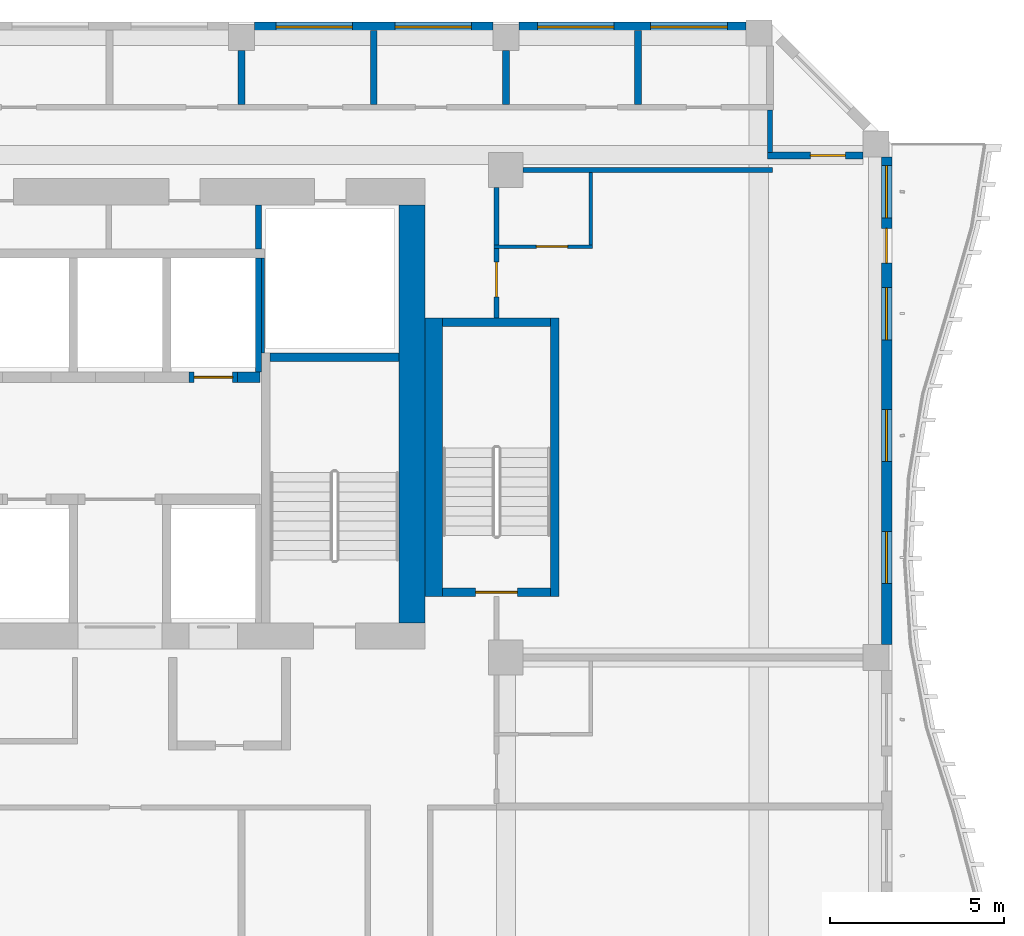
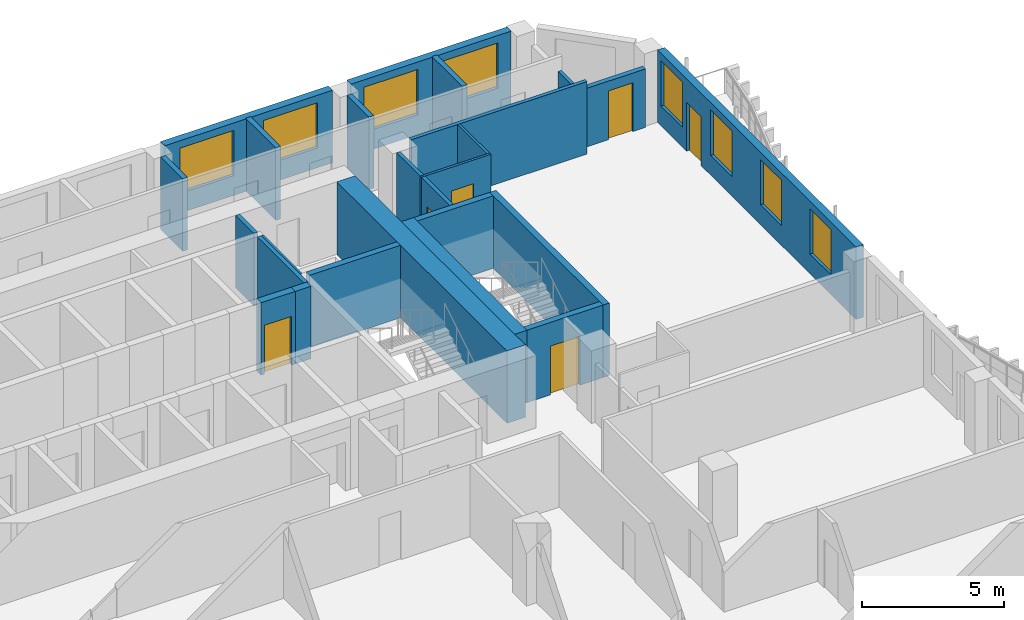
# One storey, part 10 of 22: 25 walls, 8 windows, 6 doors, 14 openings.
"""IFC4 building model written with IfcOpenShell, lengths in metres."""

from ifc_helpers import new_model, si_unit, direction, frame, frame_2d, origin, place, context, subcontext, project, spatial, rectangle, extrude, source, transform, mapped, material, layer, layer_set, type_object, element, fill, save


model = new_model("IFC4")

# Units and contexts
model_context = context("Model", 3, precision=1e-05, world=origin(), true_north=direction((0.0, 1.0)))
body_context = subcontext(model_context, "Body", "Model", "MODEL_VIEW")
ifc_project = project(units=[si_unit("LENGTHUNIT", "METRE"), si_unit("AREAUNIT", "SQUARE_METRE"), si_unit("VOLUMEUNIT", "CUBIC_METRE"), si_unit("PLANEANGLEUNIT", "RADIAN"), si_unit("MASSUNIT", "GRAM", prefix="KILO")], contexts=[model_context])

# Site, building, storey
site_placement = place(None, origin())
site = spatial("IfcSite", under=ifc_project, at=site_placement, CompositionType="ELEMENT")
building_placement = place(site_placement, origin())
building = spatial("IfcBuilding", under=site, at=building_placement, Name="Kilnfold Tower and Market Hall", CompositionType="ELEMENT")
storey_placement = place(building_placement, frame((0.0, 0.0, 206.699951171875)))
storey = spatial("IfcBuildingStorey", under=building, at=storey_placement, Name="L50", CompositionType="ELEMENT", Elevation=206.699951171875)

# Wall, opening, door
ifc_material_1 = material(Name="Gypsum board on steel studs", Category="steel")
ifc_layer_1 = layer(ifc_material_1, 0.14990234375)
ifc_layer_set_1 = layer_set([ifc_layer_1], Name="Gypsum board on steel studs")
wall_type_1 = type_object("IfcWallType", Name="WALL CORRIDOR 150", PredefinedType="PARTITIONING", material=ifc_layer_set_1)
wall_1_placement = place(storey_placement, frame((19.89990234375, 17.75, 0.0), z_axis=(0.0, 0.0, 1.0), x_axis=(0.0, 1.0, 0.0)))
wall_1 = element("IfcWall", 1, at=wall_1_placement, inside=storey, type_object=wall_type_1, Name="Partition LY30.20", PredefinedType="PARTITIONING", context=body_context, shape_type="SweptSolid", body=[
    extrude(rectangle(XDim=2.010009765625, YDim=0.14990234375, at=frame_2d((1.0048828125, 0.0))), origin(), (0.0, 0.0, 1.0), 3.1201171875),
])
opening_1_placement = place(wall_1_placement, frame((0.60693359375, 0.0, 0.0)))
opening_1 = element("IfcOpeningElement", 2, at=opening_1_placement, cuts=wall_1, Name="Opening D1", PredefinedType="OPENING", context=body_context, shape_type="SweptSolid", body=[
    extrude(rectangle(XDim=1.0, YDim=2.10009765625, at=frame_2d((0.5, 1.050048828125))), frame((0.0, 0.0849609375, 0.0), z_axis=(0.0, -1.0, 0.0), x_axis=(1.0, 0.0, 0.0)), (0.0, 0.0, 1.0), 0.169921875),
])
ifc_material_2 = material(Name="Timber veneer door leaf in steel frame", Category="steel")
door_type_1 = type_object("IfcDoorType", Name="DOOR ENTRY 1000 X2100", OperationType="NOTDEFINED", PredefinedType="DOOR", material=ifc_material_2)
door_1_placement = place(opening_1_placement, origin())
door_1 = element("IfcDoor", 3, at=door_1_placement, inside=storey, type_object=door_type_1, Name="Door D1", OperationType="SINGLE_SWING_LEFT", OverallHeight=2.10009765625, OverallWidth=1.0, PredefinedType="DOOR", context=body_context, shape_type="SweptSolid", body=[
    extrude(rectangle(XDim=1.0, YDim=2.10009765625, at=frame_2d((0.5, 1.050048828125))), frame((0.0, 0.02490234375, 0.0), z_axis=(0.0, -1.0, 0.0), x_axis=(1.0, 0.0, 0.0)), (0.0, 0.0, 1.0), 0.050048828125),
])
fill(opening_1, door_1)

# Walls
wall_2_placement = place(storey_placement, frame((20.6669921875, 22.0, 0.0), z_axis=(0.0, 0.0, 1.0), x_axis=(1.0, 0.0, 0.0)))
element("IfcWall", 4, at=wall_2_placement, inside=storey, type_object=wall_type_1, Name="Partition LY30.22", PredefinedType="PARTITIONING", context=body_context, shape_type="SweptSolid", body=[
    extrude(rectangle(XDim=7.157958984375, YDim=0.14990234375, at=frame_2d((3.5791015625, 0.0))), origin(), (0.0, 0.0, 1.0), 3.1201171875),
])
wall_3_placement = place(storey_placement, frame((19.89990234375, 19.840087890625, 0.0), z_axis=(0.0, 0.0, 1.0), x_axis=(0.0, 1.0, 0.0)))
element("IfcWall", 5, at=wall_3_placement, inside=storey, type_object=wall_type_1, Name="Partition LY30.23", PredefinedType="PARTITIONING", context=body_context, shape_type="SweptSolid", body=[
    extrude(rectangle(XDim=1.659912109375, YDim=0.14990234375, at=frame_2d((0.830078125, 0.0))), origin(), (0.0, 0.0, 1.0), 3.1201171875),
])
wall_4_placement = place(storey_placement, frame((27.75, 22.5029296875, 0.0), z_axis=(0.0, 0.0, 1.0), x_axis=(0.0, 1.0, 0.0)))
element("IfcWall", 6, at=wall_4_placement, inside=storey, type_object=wall_type_1, Name="Partition LY30.24", PredefinedType="PARTITIONING", context=body_context, shape_type="SweptSolid", body=[
    extrude(rectangle(XDim=1.22216796875, YDim=0.14990234375, at=frame_2d((0.611083984375, 0.0))), origin(), (0.0, 0.0, 1.0), 2.52001953125),
])

# Wall, opening, door
ifc_material_3 = material(Name="Gypsum board on steel studs", Category="steel")
ifc_layer_2 = layer(ifc_material_3, 0.10009765625)
ifc_layer_set_2 = layer_set([ifc_layer_2], Name="Gypsum board on steel studs")
wall_type_2 = type_object("IfcWallType", Name="WALL PARTITION 100", PredefinedType="PARTITIONING", material=ifc_layer_set_2)
wall_5_placement = place(storey_placement, frame((22.652099609375, 19.800048828125, 0.0), z_axis=(0.0, 0.0, 1.0), x_axis=(-1.0, 0.0, 0.0)))
wall_5 = element("IfcWall", 7, at=wall_5_placement, inside=storey, type_object=wall_type_2, Name="Partition LY30.93", PredefinedType="PARTITIONING", context=body_context, shape_type="SweptSolid", body=[
    extrude(rectangle(XDim=2.8251953125, YDim=0.10009765625, at=frame_2d((1.41259765625, 0.0))), origin(), (0.0, 0.0, 1.0), 3.1201171875),
])
opening_2_placement = place(wall_5_placement, frame((0.7080078125, 0.0, 0.0)))
opening_2 = element("IfcOpeningElement", 8, at=opening_2_placement, cuts=wall_5, Name="Opening D3", PredefinedType="OPENING", context=body_context, shape_type="SweptSolid", body=[
    extrude(rectangle(XDim=0.89990234375, YDim=2.10009765625, at=frame_2d((0.449951171875, 1.050048828125))), frame((0.0, 0.06005859375, 0.0), z_axis=(0.0, -1.0, 0.0), x_axis=(1.0, 0.0, 0.0)), (0.0, 0.0, 1.0), 0.1201171875),
])
ifc_material_4 = material(Name="Timber veneer door leaf in steel frame", Category="steel")
door_type_2 = type_object("IfcDoorType", Name="DOOR WC 900 X2100", OperationType="NOTDEFINED", PredefinedType="DOOR", material=ifc_material_4)
door_2_placement = place(opening_2_placement, origin())
door_2 = element("IfcDoor", 9, at=door_2_placement, inside=storey, type_object=door_type_2, Name="Door D3", OperationType="SINGLE_SWING_RIGHT", OverallHeight=2.10009765625, OverallWidth=0.89990234375, PredefinedType="DOOR", context=body_context, shape_type="SweptSolid", body=[
    extrude(rectangle(XDim=0.89990234375, YDim=2.10009765625, at=frame_2d((0.449951171875, 1.050048828125))), frame((0.0, 0.02490234375, 0.0), z_axis=(0.0, -1.0, 0.0), x_axis=(1.0, 0.0, 0.0)), (0.0, 0.0, 1.0), 0.050048828125),
])
fill(opening_2, door_2)

# Wall
wall_6_placement = place(storey_placement, frame((22.60205078125, 19.85009765625, 0.0), z_axis=(0.0, 0.0, 1.0), x_axis=(0.0, 1.0, 0.0)))
element("IfcWall", 10, at=wall_6_placement, inside=storey, type_object=wall_type_2, Name="Partition LY30.94", PredefinedType="PARTITIONING", context=body_context, shape_type="SweptSolid", body=[
    extrude(rectangle(XDim=2.072998046875, YDim=0.10009765625, at=frame_2d((1.03662109375, 0.0))), origin(), (0.0, 0.0, 1.0), 3.1201171875),
])

# Wall, opening, door
ifc_material_5 = material(Name="Gypsum board on steel studs", Category="steel")
ifc_layer_3 = layer(ifc_material_5, 0.199951171875)
ifc_layer_set_3 = layer_set([ifc_layer_3], Name="Gypsum board on steel studs")
wall_type_3 = type_object("IfcWallType", Name="WALL PARTY 200", PredefinedType="PARTITIONING", material=ifc_layer_set_3)
wall_7_placement = place(storey_placement, frame((30.425048828125, 22.4130859375, 0.0), z_axis=(0.0, 0.0, 1.0), x_axis=(-1.0, 0.0, 0.0)))
wall_7 = element("IfcWall", 11, at=wall_7_placement, inside=storey, type_object=wall_type_3, Name="Partition LY30.95", PredefinedType="PARTITIONING", context=body_context, shape_type="SweptSolid", body=[
    extrude(rectangle(XDim=2.748046875, YDim=0.199951171875, at=frame_2d((1.3740234375, 0.0))), origin(), (0.0, 0.0, 1.0), 2.52001953125),
])
opening_3_placement = place(wall_7_placement, frame((0.510986328125, 0.0, 0.0)))
opening_3 = element("IfcOpeningElement", 12, at=opening_3_placement, cuts=wall_7, Name="Opening D4", PredefinedType="OPENING", context=body_context, shape_type="SweptSolid", body=[
    extrude(rectangle(XDim=1.0, YDim=2.10009765625, at=frame_2d((0.5, 1.050048828125))), frame((0.0, 0.10986328125, 0.0), z_axis=(0.0, -1.0, 0.0), x_axis=(1.0, 0.0, 0.0)), (0.0, 0.0, 1.0), 0.219970703125),
])
ifc_material_6 = material(Name="Timber veneer door leaf in steel frame", Category="steel")
door_type_3 = type_object("IfcDoorType", Name="DOOR SERVICE 1000 X2100", OperationType="NOTDEFINED", PredefinedType="DOOR", material=ifc_material_6)
door_3_placement = place(opening_3_placement, origin())
door_3 = element("IfcDoor", 13, at=door_3_placement, inside=storey, type_object=door_type_3, Name="Door D4", OperationType="SINGLE_SWING_RIGHT", OverallHeight=2.10009765625, OverallWidth=1.0, PredefinedType="DOOR", context=body_context, shape_type="SweptSolid", body=[
    extrude(rectangle(XDim=1.0, YDim=2.10009765625, at=frame_2d((0.5, 1.050048828125))), frame((0.0, 0.02490234375, 0.0), z_axis=(0.0, -1.0, 0.0), x_axis=(1.0, 0.0, 0.0)), (0.0, 0.0, 1.0), 0.050048828125),
])
fill(opening_3, door_3)

# Walls
wall_8_placement = place(storey_placement, frame((12.5830078125, 23.876953125, 0.0), z_axis=(0.0, 0.0, 1.0), x_axis=(0.0, 1.0, 0.0)))
element("IfcWall", 14, at=wall_8_placement, inside=storey, type_object=wall_type_3, Name="Partition LY30.106", PredefinedType="PARTITIONING", context=body_context, shape_type="SweptSolid", body=[
    extrude(rectangle(XDim=1.548095703125, YDim=0.199951171875, at=frame_2d((0.77392578125, 0.0))), origin(), (0.0, 0.0, 1.0), 3.1201171875),
])
wall_9_placement = place(storey_placement, frame((16.375, 23.876953125, 0.0), z_axis=(0.0, 0.0, 1.0), x_axis=(0.0, 1.0, 0.0)))
element("IfcWall", 15, at=wall_9_placement, inside=storey, type_object=wall_type_3, Name="Partition LY30.107", PredefinedType="PARTITIONING", context=body_context, shape_type="SweptSolid", body=[
    extrude(rectangle(XDim=2.123046875, YDim=0.199951171875, at=frame_2d((1.0615234375, 0.0))), origin(), (0.0, 0.0, 1.0), 3.1201171875),
])
wall_10_placement = place(storey_placement, frame((20.1669921875, 23.876953125, 0.0), z_axis=(0.0, 0.0, 1.0), x_axis=(0.0, 1.0, 0.0)))
element("IfcWall", 16, at=wall_10_placement, inside=storey, type_object=wall_type_3, Name="Partition LY30.108", PredefinedType="PARTITIONING", context=body_context, shape_type="SweptSolid", body=[
    extrude(rectangle(XDim=1.548095703125, YDim=0.199951171875, at=frame_2d((0.77392578125, 0.0))), origin(), (0.0, 0.0, 1.0), 3.1201171875),
])
wall_11_placement = place(storey_placement, frame((23.958984375, 23.876953125, 0.0), z_axis=(0.0, 0.0, 1.0), x_axis=(0.0, 1.0, 0.0)))
element("IfcWall", 17, at=wall_11_placement, inside=storey, type_object=wall_type_3, Name="Partition LY30.109", PredefinedType="PARTITIONING", context=body_context, shape_type="SweptSolid", body=[
    extrude(rectangle(XDim=2.123046875, YDim=0.199951171875, at=frame_2d((1.0615234375, 0.0))), origin(), (0.0, 0.0, 1.0), 3.1201171875),
])
ifc_material_7 = material(Name="Concrete C60", Category="concrete")
ifc_layer_4 = layer(ifc_material_7, 0.25)
ifc_layer_set_4 = layer_set([ifc_layer_4], Name="Concrete C60")
wall_type_4 = type_object("IfcWallType", Name="CORE WALL 250 C60", PredefinedType="SHEAR", material=ifc_layer_set_4)
shared_shape_1 = source(origin(), body_context, "Body", "SweptSolid", [
    extrude(rectangle(XDim=3.7001953125, YDim=0.25, at=frame_2d((1.85009765625, 0.0))), origin(), (0.0, 0.0, 1.0), 3.1201171875),
])
wall_12_placement = place(storey_placement, frame((13.39990234375, 16.625, 0.0), z_axis=(0.0, 0.0, 1.0), x_axis=(1.0, 0.0, 0.0)))
element("IfcWall", 18, at=wall_12_placement, inside=storey, type_object=wall_type_4, Name="Stair enclosure ST2", PredefinedType="SHEAR", context=body_context, shape_type="MappedRepresentation", body=[
    mapped(shared_shape_1, transform((0.0, 0.0, 0.0))),
])
shared_shape_2 = source(origin(), body_context, "Body", "SweptSolid", [
    extrude(rectangle(XDim=8.0, YDim=0.25, at=frame_2d((4.0, 0.0))), origin(), (0.0, 0.0, 1.0), 3.1201171875),
])
wall_13_placement = place(storey_placement, frame((21.574951171875, 9.75, 0.0), z_axis=(0.0, 0.0, 1.0), x_axis=(0.0, 1.0, 0.0)))
element("IfcWall", 19, at=wall_13_placement, inside=storey, type_object=wall_type_4, Name="Stair enclosure ST5", PredefinedType="SHEAR", context=body_context, shape_type="MappedRepresentation", body=[
    mapped(shared_shape_2, transform((0.0, 0.0, 0.0))),
])

# Wall, opening, door
shared_shape_3 = source(origin(), body_context, "Body", "SweptSolid", [
    extrude(rectangle(XDim=3.099853515625, YDim=0.25, at=frame_2d((1.5498046875, 0.0))), origin(), (0.0, 0.0, 1.0), 3.1201171875),
])
wall_14_placement = place(storey_placement, frame((18.35009765625, 9.875, 0.0), z_axis=(0.0, 0.0, 1.0), x_axis=(1.0, 0.0, 0.0)))
wall_14 = element("IfcWall", 20, at=wall_14_placement, inside=storey, type_object=wall_type_4, Name="Stair enclosure ST5", PredefinedType="SHEAR", context=body_context, shape_type="MappedRepresentation", body=[
    mapped(shared_shape_3, transform((0.0, 0.0, 0.0))),
])
opening_4_placement = place(wall_14_placement, frame((0.949951171875, 0.0, 0.0)))
opening_4 = element("IfcOpeningElement", 21, at=opening_4_placement, cuts=wall_14, Name="Opening SD1", PredefinedType="OPENING", context=body_context, shape_type="SweptSolid", body=[
    extrude(rectangle(XDim=1.199951171875, YDim=2.10009765625, at=frame_2d((0.60009765625, 1.050048828125))), frame((0.0, 0.135009765625, 0.0), z_axis=(0.0, -1.0, 0.0), x_axis=(1.0, 0.0, 0.0)), (0.0, 0.0, 1.0), 0.27001953125),
])
ifc_material_8 = material(Name="Steel door set with fire-resisting leaf", Category="steel")
door_type_4 = type_object("IfcDoorType", Name="STAIR FLOOR DOOR 1200X2100", OperationType="NOTDEFINED", PredefinedType="DOOR", material=ifc_material_8)
door_4_placement = place(opening_4_placement, origin())
door_4 = element("IfcDoor", 22, at=door_4_placement, inside=storey, type_object=door_type_4, Name="Exit stair ST5 door", OperationType="DOUBLE_DOOR_SINGLE_SWING", OverallHeight=2.10009765625, OverallWidth=1.199951171875, PredefinedType="DOOR", context=body_context, shape_type="SweptSolid", body=[
    extrude(rectangle(XDim=1.199951171875, YDim=2.10009765625, at=frame_2d((0.60009765625, 1.050048828125))), frame((0.0, 0.02490234375, 0.0), z_axis=(0.0, -1.0, 0.0), x_axis=(1.0, 0.0, 0.0)), (0.0, 0.0, 1.0), 0.050048828125),
])
fill(opening_4, door_4)

# Walls
wall_15_placement = place(storey_placement, frame((18.35009765625, 17.625, 0.0), z_axis=(0.0, 0.0, 1.0), x_axis=(1.0, 0.0, 0.0)))
element("IfcWall", 23, at=wall_15_placement, inside=storey, type_object=wall_type_4, Name="Stair enclosure ST5", PredefinedType="SHEAR", context=body_context, shape_type="MappedRepresentation", body=[
    mapped(shared_shape_3, transform((0.0, 0.0, 0.0))),
])
ifc_material_9 = material(Name="Concrete C60", Category="concrete")
ifc_layer_5 = layer(ifc_material_9, 0.300048828125)
ifc_layer_set_5 = layer_set([ifc_layer_5], Name="Concrete C60")
wall_type_5 = type_object("IfcWallType", Name="CORE WALL 300 C60", PredefinedType="SHEAR", material=ifc_layer_set_5)
shared_shape_4 = source(origin(), body_context, "Body", "SweptSolid", [
    extrude(rectangle(XDim=0.64013671875, YDim=0.300048828125, at=frame_2d((0.320068359375, 0.0))), origin(), (0.0, 0.0, 1.0), 3.1201171875),
])
wall_16_placement = place(storey_placement, frame((12.469970703125, 16.050048828125, 0.0), z_axis=(0.0, 0.0, 1.0), x_axis=(1.0, 0.0, 0.0)))
element("IfcWall", 24, at=wall_16_placement, inside=storey, type_object=wall_type_5, Name="Core spine wall", PredefinedType="SHEAR", context=body_context, shape_type="MappedRepresentation", body=[
    mapped(shared_shape_4, transform((0.0, 0.0, 0.0))),
])
ifc_material_10 = material(Name="Concrete C60", Category="concrete")
ifc_layer_6 = layer(ifc_material_10, 0.75)
ifc_layer_set_6 = layer_set([ifc_layer_6], Name="Concrete C60")
wall_type_6 = type_object("IfcWallType", Name="CORE WALL 750 C60", PredefinedType="SHEAR", material=ifc_layer_set_6)
shared_shape_5 = source(origin(), body_context, "Body", "SweptSolid", [
    extrude(rectangle(XDim=12.0, YDim=0.75, at=frame_2d((6.0, 0.0))), origin(), (0.0, 0.0, 1.0), 3.1201171875),
])
wall_17_placement = place(storey_placement, frame((17.47509765625, 9.0, 0.0), z_axis=(0.0, 0.0, 1.0), x_axis=(0.0, 1.0, 0.0)))
element("IfcWall", 25, at=wall_17_placement, inside=storey, type_object=wall_type_6, Name="Core outer wall east", PredefinedType="SHEAR", context=body_context, shape_type="MappedRepresentation", body=[
    mapped(shared_shape_5, transform((0.0, 0.0, 0.0))),
])
ifc_material_11 = material(Name="Concrete C60", Category="concrete")
ifc_layer_7 = layer(ifc_material_11, 0.5)
ifc_layer_set_7 = layer_set([ifc_layer_7], Name="Concrete C60")
wall_type_7 = type_object("IfcWallType", Name="CORE WALL 500 C60", PredefinedType="SHEAR", material=ifc_layer_set_7)
shared_shape_6 = source(origin(), body_context, "Body", "SweptSolid", [
    extrude(rectangle(XDim=8.0, YDim=0.5, at=frame_2d((4.0, 0.0))), origin(), (0.0, 0.0, 1.0), 3.1201171875),
])
wall_18_placement = place(storey_placement, frame((18.10009765625, 9.75, 0.0), z_axis=(0.0, 0.0, 1.0), x_axis=(0.0, 1.0, 0.0)))
element("IfcWall", 26, at=wall_18_placement, inside=storey, type_object=wall_type_7, Name="Stair enclosure ST5", PredefinedType="SHEAR", context=body_context, shape_type="MappedRepresentation", body=[
    mapped(shared_shape_6, transform((0.0, 0.0, 0.0))),
])

# Wall, openings, windows
ifc_material_12 = material(Name="Precast concrete C50/60", Category="concrete")
ifc_layer_8 = layer(ifc_material_12, 0.300048828125)
ifc_layer_set_8 = layer_set([ifc_layer_8], Name="Precast concrete C50/60")
wall_type_8 = type_object("IfcWallType", Name="PRECAST WALL 300", PredefinedType="SOLIDWALL", material=ifc_layer_set_8)
shared_shape_7 = source(origin(), body_context, "Body", "SweptSolid", [
    extrude(rectangle(XDim=6.83349609375, YDim=0.300048828125, at=frame_2d((3.416748046875, 0.0))), origin(), (0.0, 0.0, 1.0), 3.1201171875),
])
wall_19_placement = place(storey_placement, frame((19.791748046875, 26.10009765625, 0.0), z_axis=(0.0, 0.0, 1.0), x_axis=(-1.0, 0.0, 0.0)))
wall_19 = element("IfcWall", 27, at=wall_19_placement, inside=storey, type_object=wall_type_8, Name="External wall L50 N", PredefinedType="SOLIDWALL", context=body_context, shape_type="MappedRepresentation", body=[
    mapped(shared_shape_7, transform((0.0, 0.0, 0.0))),
])
opening_5_placement = place(wall_19_placement, frame((0.6083984375, 0.0, 0.85009765625)))
opening_5 = element("IfcOpeningElement", 28, at=opening_5_placement, cuts=wall_19, Name="Opening W2", PredefinedType="OPENING", context=body_context, shape_type="SweptSolid", body=[
    extrude(rectangle(XDim=2.199951171875, YDim=1.949951171875, at=frame_2d((1.10009765625, 0.97509765625))), frame((0.0, 0.16015625, 0.0), z_axis=(0.0, -1.0, 0.0), x_axis=(1.0, 0.0, 0.0)), (0.0, 0.0, 1.0), 0.320068359375),
])
opening_6_placement = place(wall_19_placement, frame((4.02490234375, 0.0, 0.85009765625)))
opening_6 = element("IfcOpeningElement", 29, at=opening_6_placement, cuts=wall_19, Name="Opening W2", PredefinedType="OPENING", context=body_context, shape_type="SweptSolid", body=[
    extrude(rectangle(XDim=2.199951171875, YDim=1.949951171875, at=frame_2d((1.10009765625, 0.97509765625))), frame((0.0, 0.16015625, 0.0), z_axis=(0.0, -1.0, 0.0), x_axis=(1.0, 0.0, 0.0)), (0.0, 0.0, 1.0), 0.320068359375),
])
ifc_material_13 = material(Name="Aluminium frame and double glazing", Category="aluminium")
window_type_1 = type_object("IfcWindowType", Name="WINDOW W2 2200X1950", PartitioningType="SINGLE_PANEL", PredefinedType="WINDOW", material=ifc_material_13)
window_1_placement = place(opening_5_placement, origin())
window_1 = element("IfcWindow", 30, at=window_1_placement, inside=storey, type_object=window_type_1, Name="Window W2 L50 N-1", OverallHeight=1.949951171875, OverallWidth=2.199951171875, PartitioningType="SINGLE_PANEL", PredefinedType="WINDOW", context=body_context, shape_type="SweptSolid", body=[
    extrude(rectangle(XDim=2.199951171875, YDim=1.949951171875, at=frame_2d((1.10009765625, 0.97509765625))), frame((0.0, 0.030029296875, 0.0), z_axis=(0.0, -1.0, 0.0), x_axis=(1.0, 0.0, 0.0)), (0.0, 0.0, 1.0), 0.06005859375),
])
fill(opening_5, window_1)
window_2_placement = place(opening_6_placement, origin())
window_2 = element("IfcWindow", 31, at=window_2_placement, inside=storey, type_object=window_type_1, Name="Window W2 L50 N-2", OverallHeight=1.949951171875, OverallWidth=2.199951171875, PartitioningType="SINGLE_PANEL", PredefinedType="WINDOW", context=body_context, shape_type="SweptSolid", body=[
    extrude(rectangle(XDim=2.199951171875, YDim=1.949951171875, at=frame_2d((1.10009765625, 0.97509765625))), frame((0.0, 0.030029296875, 0.0), z_axis=(0.0, -1.0, 0.0), x_axis=(1.0, 0.0, 0.0)), (0.0, 0.0, 1.0), 0.06005859375),
])
fill(opening_6, window_2)

# Wall, openings, door, windows
shared_shape_8 = source(origin(), body_context, "Body", "SweptSolid", [
    extrude(rectangle(XDim=14.0, YDim=0.300048828125, at=frame_2d((7.0, 0.0))), origin(), (0.0, 0.0, 1.0), 3.1201171875),
])
wall_20_placement = place(storey_placement, frame((31.10009765625, 8.375, 0.0), z_axis=(0.0, 0.0, 1.0), x_axis=(0.0, 1.0, 0.0)))
wall_20 = element("IfcWall", 32, at=wall_20_placement, inside=storey, type_object=wall_type_8, Name="External wall L50 E", PredefinedType="SOLIDWALL", context=body_context, shape_type="MappedRepresentation", body=[
    mapped(shared_shape_8, transform((0.0, 0.0, 0.0))),
])
opening_7_placement = place(wall_20_placement, frame((1.75, 0.0, 0.85009765625)))
opening_7 = element("IfcOpeningElement", 33, at=opening_7_placement, cuts=wall_20, Name="Opening W4", PredefinedType="OPENING", context=body_context, shape_type="SweptSolid", body=[
    extrude(rectangle(XDim=1.5, YDim=1.949951171875, at=frame_2d((0.75, 0.97509765625))), frame((0.0, 0.16015625, 0.0), z_axis=(0.0, -1.0, 0.0), x_axis=(1.0, 0.0, 0.0)), (0.0, 0.0, 1.0), 0.320068359375),
])
opening_8_placement = place(wall_20_placement, frame((5.25, 0.0, 0.85009765625)))
opening_8 = element("IfcOpeningElement", 34, at=opening_8_placement, cuts=wall_20, Name="Opening W4", PredefinedType="OPENING", context=body_context, shape_type="SweptSolid", body=[
    extrude(rectangle(XDim=1.5, YDim=1.949951171875, at=frame_2d((0.75, 0.97509765625))), frame((0.0, 0.16015625, 0.0), z_axis=(0.0, -1.0, 0.0), x_axis=(1.0, 0.0, 0.0)), (0.0, 0.0, 1.0), 0.320068359375),
])
opening_9_placement = place(wall_20_placement, frame((8.75, 0.0, 0.85009765625)))
opening_9 = element("IfcOpeningElement", 35, at=opening_9_placement, cuts=wall_20, Name="Opening W4", PredefinedType="OPENING", context=body_context, shape_type="SweptSolid", body=[
    extrude(rectangle(XDim=1.5, YDim=1.949951171875, at=frame_2d((0.75, 0.97509765625))), frame((0.0, 0.16015625, 0.0), z_axis=(0.0, -1.0, 0.0), x_axis=(1.0, 0.0, 0.0)), (0.0, 0.0, 1.0), 0.320068359375),
])
opening_10_placement = place(wall_20_placement, frame((12.25, 0.0, 0.85009765625)))
opening_10 = element("IfcOpeningElement", 36, at=opening_10_placement, cuts=wall_20, Name="Opening W4", PredefinedType="OPENING", context=body_context, shape_type="SweptSolid", body=[
    extrude(rectangle(XDim=1.5, YDim=1.949951171875, at=frame_2d((0.75, 0.97509765625))), frame((0.0, 0.16015625, 0.0), z_axis=(0.0, -1.0, 0.0), x_axis=(1.0, 0.0, 0.0)), (0.0, 0.0, 1.0), 0.320068359375),
])
opening_11_placement = place(wall_20_placement, frame((10.949951171875, 0.0, 0.0)))
opening_11 = element("IfcOpeningElement", 37, at=opening_11_placement, cuts=wall_20, Name="Opening BD1", PredefinedType="OPENING", context=body_context, shape_type="SweptSolid", body=[
    extrude(rectangle(XDim=1.0, YDim=2.10009765625, at=frame_2d((0.5, 1.050048828125))), frame((0.0, 0.16015625, 0.0), z_axis=(0.0, -1.0, 0.0), x_axis=(1.0, 0.0, 0.0)), (0.0, 0.0, 1.0), 0.320068359375),
])
ifc_material_14 = material(Name="Aluminium frame and double glazing", Category="aluminium")
door_type_5 = type_object("IfcDoorType", Name="BALCONY DOOR 1000X2100", OperationType="NOTDEFINED", PredefinedType="DOOR", material=ifc_material_14)
door_5_placement = place(opening_11_placement, origin())
door_5 = element("IfcDoor", 38, at=door_5_placement, inside=storey, type_object=door_type_5, Name="Balcony door BD1 L50 E-4", OperationType="SINGLE_SWING_RIGHT", OverallHeight=2.10009765625, OverallWidth=1.0, PredefinedType="DOOR", context=body_context, shape_type="SweptSolid", body=[
    extrude(rectangle(XDim=1.0, YDim=2.10009765625, at=frame_2d((0.5, 1.050048828125))), frame((0.0, 0.02490234375, 0.0), z_axis=(0.0, -1.0, 0.0), x_axis=(1.0, 0.0, 0.0)), (0.0, 0.0, 1.0), 0.050048828125),
])
fill(opening_11, door_5)
ifc_material_15 = material(Name="Aluminium frame and double glazing", Category="aluminium")
window_type_2 = type_object("IfcWindowType", Name="WINDOW W4 1500X1950", PartitioningType="SINGLE_PANEL", PredefinedType="WINDOW", material=ifc_material_15)
window_3_placement = place(opening_7_placement, origin())
window_3 = element("IfcWindow", 39, at=window_3_placement, inside=storey, type_object=window_type_2, Name="Window W4 L50 E-1", OverallHeight=1.949951171875, OverallWidth=1.5, PartitioningType="SINGLE_PANEL", PredefinedType="WINDOW", context=body_context, shape_type="SweptSolid", body=[
    extrude(rectangle(XDim=1.5, YDim=1.949951171875, at=frame_2d((0.75, 0.97509765625))), frame((0.0, 0.030029296875, 0.0), z_axis=(0.0, -1.0, 0.0), x_axis=(1.0, 0.0, 0.0)), (0.0, 0.0, 1.0), 0.06005859375),
])
fill(opening_7, window_3)
window_4_placement = place(opening_8_placement, origin())
window_4 = element("IfcWindow", 40, at=window_4_placement, inside=storey, type_object=window_type_2, Name="Window W4 L50 E-2", OverallHeight=1.949951171875, OverallWidth=1.5, PartitioningType="SINGLE_PANEL", PredefinedType="WINDOW", context=body_context, shape_type="SweptSolid", body=[
    extrude(rectangle(XDim=1.5, YDim=1.949951171875, at=frame_2d((0.75, 0.97509765625))), frame((0.0, 0.030029296875, 0.0), z_axis=(0.0, -1.0, 0.0), x_axis=(1.0, 0.0, 0.0)), (0.0, 0.0, 1.0), 0.06005859375),
])
fill(opening_8, window_4)
window_5_placement = place(opening_9_placement, origin())
window_5 = element("IfcWindow", 41, at=window_5_placement, inside=storey, type_object=window_type_2, Name="Window W4 L50 E-3", OverallHeight=1.949951171875, OverallWidth=1.5, PartitioningType="SINGLE_PANEL", PredefinedType="WINDOW", context=body_context, shape_type="SweptSolid", body=[
    extrude(rectangle(XDim=1.5, YDim=1.949951171875, at=frame_2d((0.75, 0.97509765625))), frame((0.0, 0.030029296875, 0.0), z_axis=(0.0, -1.0, 0.0), x_axis=(1.0, 0.0, 0.0)), (0.0, 0.0, 1.0), 0.06005859375),
])
fill(opening_9, window_5)
window_6_placement = place(opening_10_placement, origin())
window_6 = element("IfcWindow", 42, at=window_6_placement, inside=storey, type_object=window_type_2, Name="Window W4 L50 E-4", OverallHeight=1.949951171875, OverallWidth=1.5, PartitioningType="SINGLE_PANEL", PredefinedType="WINDOW", context=body_context, shape_type="SweptSolid", body=[
    extrude(rectangle(XDim=1.5, YDim=1.949951171875, at=frame_2d((0.75, 0.97509765625))), frame((0.0, 0.030029296875, 0.0), z_axis=(0.0, -1.0, 0.0), x_axis=(1.0, 0.0, 0.0)), (0.0, 0.0, 1.0), 0.06005859375),
])
fill(opening_10, window_6)

# Wall, openings, windows
shared_shape_9 = source(origin(), body_context, "Body", "SweptSolid", [
    extrude(rectangle(XDim=6.51513671875, YDim=0.300048828125, at=frame_2d((3.257568359375, 0.0))), origin(), (0.0, 0.0, 1.0), 3.1201171875),
])
wall_21_placement = place(storey_placement, frame((27.056884765625, 26.10009765625, 0.0), z_axis=(0.0, 0.0, 1.0), x_axis=(-1.0, 0.0, 0.0)))
wall_21 = element("IfcWall", 43, at=wall_21_placement, inside=storey, type_object=wall_type_8, Name="External wall L50 N", PredefinedType="SOLIDWALL", context=body_context, shape_type="MappedRepresentation", body=[
    mapped(shared_shape_9, transform((0.0, 0.0, 0.0))),
])
opening_12_placement = place(wall_21_placement, frame((0.52880859375, 0.0, 0.85009765625)))
opening_12 = element("IfcOpeningElement", 44, at=opening_12_placement, cuts=wall_21, Name="Opening W2", PredefinedType="OPENING", context=body_context, shape_type="SweptSolid", body=[
    extrude(rectangle(XDim=2.199951171875, YDim=1.949951171875, at=frame_2d((1.10009765625, 0.97509765625))), frame((0.0, 0.16015625, 0.0), z_axis=(0.0, -1.0, 0.0), x_axis=(1.0, 0.0, 0.0)), (0.0, 0.0, 1.0), 0.320068359375),
])
opening_13_placement = place(wall_21_placement, frame((3.786376953125, 0.0, 0.85009765625)))
opening_13 = element("IfcOpeningElement", 45, at=opening_13_placement, cuts=wall_21, Name="Opening W2", PredefinedType="OPENING", context=body_context, shape_type="SweptSolid", body=[
    extrude(rectangle(XDim=2.199951171875, YDim=1.949951171875, at=frame_2d((1.10009765625, 0.97509765625))), frame((0.0, 0.16015625, 0.0), z_axis=(0.0, -1.0, 0.0), x_axis=(1.0, 0.0, 0.0)), (0.0, 0.0, 1.0), 0.320068359375),
])
window_7_placement = place(opening_12_placement, origin())
window_7 = element("IfcWindow", 46, at=window_7_placement, inside=storey, type_object=window_type_1, Name="Window W2 L50 N-1", OverallHeight=1.949951171875, OverallWidth=2.199951171875, PartitioningType="SINGLE_PANEL", PredefinedType="WINDOW", context=body_context, shape_type="SweptSolid", body=[
    extrude(rectangle(XDim=2.199951171875, YDim=1.949951171875, at=frame_2d((1.10009765625, 0.97509765625))), frame((0.0, 0.030029296875, 0.0), z_axis=(0.0, -1.0, 0.0), x_axis=(1.0, 0.0, 0.0)), (0.0, 0.0, 1.0), 0.06005859375),
])
fill(opening_12, window_7)
window_8_placement = place(opening_13_placement, origin())
window_8 = element("IfcWindow", 47, at=window_8_placement, inside=storey, type_object=window_type_1, Name="Window W2 L50 N-2", OverallHeight=1.949951171875, OverallWidth=2.199951171875, PartitioningType="SINGLE_PANEL", PredefinedType="WINDOW", context=body_context, shape_type="SweptSolid", body=[
    extrude(rectangle(XDim=2.199951171875, YDim=1.949951171875, at=frame_2d((1.10009765625, 0.97509765625))), frame((0.0, 0.030029296875, 0.0), z_axis=(0.0, -1.0, 0.0), x_axis=(1.0, 0.0, 0.0)), (0.0, 0.0, 1.0), 0.06005859375),
])
fill(opening_13, window_8)

# Wall, opening, door
ifc_material_16 = material(Name="Gypsum shaft wall system")
ifc_layer_9 = layer(ifc_material_16, 0.300048828125)
ifc_layer_set_9 = layer_set([ifc_layer_9], Name="Gypsum shaft wall system")
wall_type_9 = type_object("IfcWallType", Name="SHAFT WALL 300", PredefinedType="PARTITIONING", material=ifc_layer_set_9)
shared_shape_10 = source(origin(), body_context, "Body", "SweptSolid", [
    extrude(rectangle(XDim=1.39990234375, YDim=0.300048828125, at=frame_2d((0.699951171875, 0.0))), origin(), (0.0, 0.0, 1.0), 3.1201171875),
])
wall_22_placement = place(storey_placement, frame((11.070068359375, 16.050048828125, 0.0), z_axis=(0.0, 0.0, 1.0), x_axis=(1.0, 0.0, 0.0)))
wall_22 = element("IfcWall", 48, at=wall_22_placement, inside=storey, type_object=wall_type_9, Name="Lift shaft front wall", PredefinedType="PARTITIONING", context=body_context, shape_type="MappedRepresentation", body=[
    mapped(shared_shape_10, transform((0.0, 0.0, 0.0))),
])
opening_14_placement = place(wall_22_placement, frame((0.14990234375, 0.0, 0.0)))
opening_14 = element("IfcOpeningElement", 49, at=opening_14_placement, cuts=wall_22, Name="Opening LD2", PredefinedType="OPENING", context=body_context, shape_type="SweptSolid", body=[
    extrude(rectangle(XDim=1.10009765625, YDim=2.10009765625, at=frame_2d((0.550048828125, 1.050048828125))), frame((0.0, 0.16015625, 0.0), z_axis=(0.0, -1.0, 0.0), x_axis=(1.0, 0.0, 0.0)), (0.0, 0.0, 1.0), 0.320068359375),
])
ifc_material_17 = material(Name="Steel door set with fire-resisting leaf", Category="steel")
door_type_6 = type_object("IfcDoorType", Name="LANDING DOOR 1100X2100", OperationType="NOTDEFINED", PredefinedType="DOOR", material=ifc_material_17)
door_6_placement = place(opening_14_placement, origin())
door_6 = element("IfcDoor", 50, at=door_6_placement, inside=storey, type_object=door_type_6, Name="Landing door MR6", OperationType="DOUBLE_DOOR_SLIDING", OverallHeight=2.10009765625, OverallWidth=1.10009765625, PredefinedType="DOOR", context=body_context, shape_type="SweptSolid", body=[
    extrude(rectangle(XDim=1.10009765625, YDim=2.10009765625, at=frame_2d((0.550048828125, 1.050048828125))), frame((0.0, 0.02490234375, 0.0), z_axis=(0.0, -1.0, 0.0), x_axis=(1.0, 0.0, 0.0)), (0.0, 0.0, 1.0), 0.050048828125),
])
fill(opening_14, door_6)

# Walls
ifc_material_18 = material(Name="Gypsum shaft wall system")
ifc_layer_10 = layer(ifc_material_18, 0.1650390625)
ifc_layer_set_10 = layer_set([ifc_layer_10], Name="Gypsum shaft wall system")
wall_type_10 = type_object("IfcWallType", Name="SHAFT WALL 165", PredefinedType="PARTITIONING", material=ifc_layer_set_10)
shared_shape_11 = source(origin(), body_context, "Body", "SweptSolid", [
    extrude(rectangle(XDim=3.275146484375, YDim=0.1650390625, at=frame_2d((1.6376953125, 0.0))), origin(), (0.0, 0.0, 1.0), 3.1201171875),
])
wall_23_placement = place(storey_placement, frame((13.0673828125, 16.199951171875, 0.0), z_axis=(0.0, 0.0, 1.0), x_axis=(0.0, 1.0, 0.0)))
element("IfcWall", 51, at=wall_23_placement, inside=storey, type_object=wall_type_10, Name="Lift shaft wall", PredefinedType="PARTITIONING", context=body_context, shape_type="MappedRepresentation", body=[
    mapped(shared_shape_11, transform((0.0, 0.0, 0.0))),
])
shared_shape_12 = source(origin(), body_context, "Body", "SweptSolid", [
    extrude(rectangle(XDim=1.27490234375, YDim=0.1650390625, at=frame_2d((0.637451171875, 0.0))), origin(), (0.0, 0.0, 1.0), 3.1201171875),
])
wall_24_placement = place(storey_placement, frame((13.0673828125, 19.72509765625, 0.0), z_axis=(0.0, 0.0, 1.0), x_axis=(0.0, 1.0, 0.0)))
element("IfcWall", 52, at=wall_24_placement, inside=storey, type_object=wall_type_10, Name="Lift shaft wall", PredefinedType="PARTITIONING", context=body_context, shape_type="MappedRepresentation", body=[
    mapped(shared_shape_12, transform((0.0, 0.0, 0.0))),
])
ifc_material_19 = material(Name="Gypsum shaft wall system")
ifc_layer_11 = layer(ifc_material_19, 0.0849609375)
ifc_layer_set_11 = layer_set([ifc_layer_11], Name="Gypsum shaft wall system")
wall_type_11 = type_object("IfcWallType", Name="SHAFT WALL 85", PredefinedType="PARTITIONING", material=ifc_layer_set_11)
shared_shape_13 = source(origin(), body_context, "Body", "SweptSolid", [
    extrude(rectangle(XDim=2.72509765625, YDim=0.0849609375, at=frame_2d((1.362548828125, 0.0))), origin(), (0.0, 0.0, 1.0), 3.1201171875),
])
wall_25_placement = place(storey_placement, frame((13.1923828125, 16.75, 0.0), z_axis=(0.0, 0.0, 1.0), x_axis=(0.0, 1.0, 0.0)))
element("IfcWall", 53, at=wall_25_placement, inside=storey, type_object=wall_type_11, Name="Lift shaft wall", PredefinedType="PARTITIONING", context=body_context, shape_type="MappedRepresentation", body=[
    mapped(shared_shape_13, transform((0.0, 0.0, 0.0))),
])

save(model, "model.ifc")
